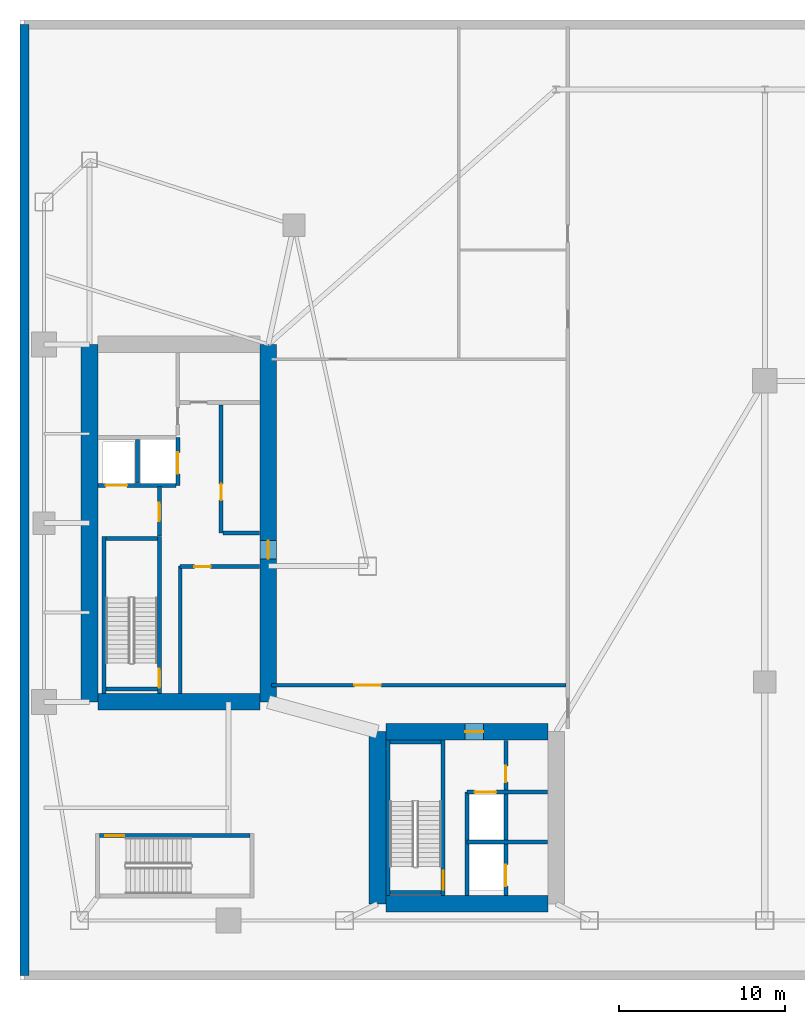
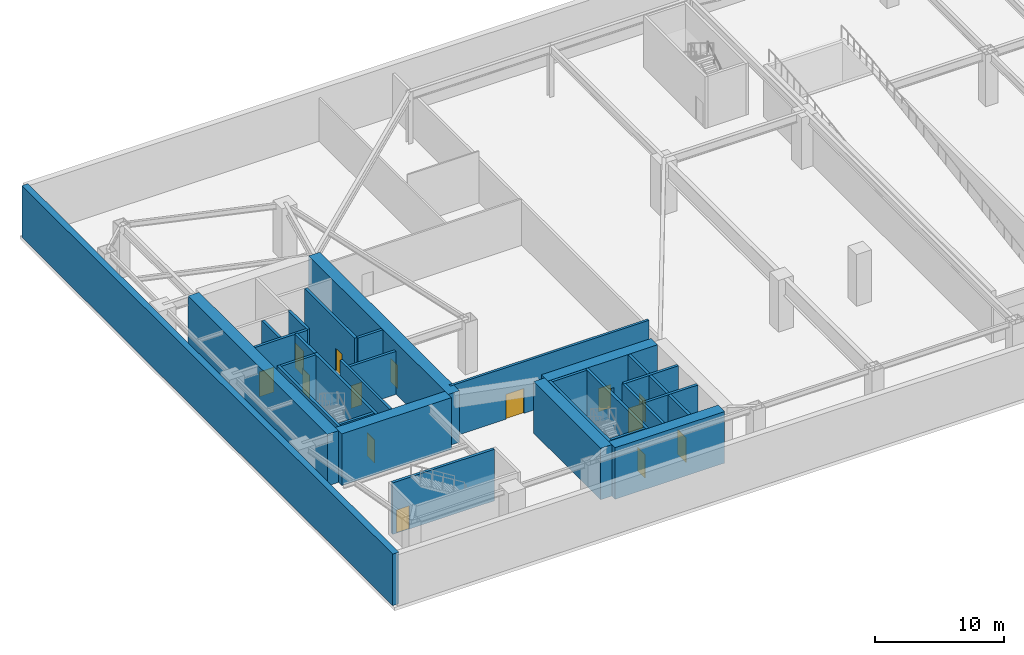
# One storey, part 5 of 13: 29 walls, 14 doors, 14 openings.
"""IFC4 building model written with IfcOpenShell, lengths in metres."""

import ifcopenshell
import ifcopenshell.guid

model = None  # the IFC model being written
_history = None  # IfcOwnerHistory: only IFC2X3 demands one
_inside = {}  # id of a spatial element -> (the spatial element, [elements in it])
_under = {}  # id of a project, library or spatial element -> (it, [spatial elements below it])
_declared = {}  # id of a project -> (the project, [libraries it declares])
_typed = {}  # id of a type object -> (the type object, [elements of that type])
_made_of = {}  # id of a material, layer set ... -> (it, [elements and type objects made of it])


def new_model(schema):
    """Start an empty IFC model of exactly this schema.

    Asked for "IFC4X3", IfcOpenShell would pick the latest addendum, in which some entities
    have other attributes; the version numbers below select the first issue.
    IFC2X3 requires an IfcOwnerHistory on every rooted entity: one is made here for all.
    """
    global model, _history
    if schema == "IFC4X3":
        model = ifcopenshell.file(schema_version=(4, 3, 0, 0))
    else:
        model = ifcopenshell.file(schema=schema)
    _inside.clear()
    _under.clear()
    _declared.clear()
    _typed.clear()
    _made_of.clear()
    _history = None
    if model.schema == "IFC2X3":
        org = make("IfcOrganization", Name="unknown")
        user = make(
            "IfcPersonAndOrganization",
            ThePerson=make("IfcPerson", FamilyName="unknown"),
            TheOrganization=org,
        )
        app = make(
            "IfcApplication",
            ApplicationDeveloper=org,
            Version="unknown",
            ApplicationFullName="unknown",
            ApplicationIdentifier="unknown",
        )
        _history = make(
            "IfcOwnerHistory",
            OwningUser=user,
            OwningApplication=app,
            ChangeAction="ADDED",
            CreationDate=0,
        )
    return model


def make(cls, **values):
    """One entity of the class cls with the attributes given. An attribute that is None is left unset."""
    return model.create_entity(
        cls, **{name: value for name, value in values.items() if value is not None}
    )


def rooted(cls, **values):
    """An entity with a GlobalId (a new one), such as an element, a storey or a relation."""
    return make(cls, GlobalId=ifcopenshell.guid.new(), OwnerHistory=_history, **values)


def si_unit(unit_type, name, prefix=None):
    """IfcSIUnit, for example si_unit("LENGTHUNIT", "METRE", prefix="MILLI")."""
    return make("IfcSIUnit", UnitType=unit_type, Prefix=prefix, Name=name)


def assignment(units):
    """IfcUnitAssignment: the units of a project."""
    return None if units is None else make("IfcUnitAssignment", Units=units)


def point(xyz):
    """IfcCartesianPoint."""
    return None if xyz is None else make("IfcCartesianPoint", Coordinates=xyz)


def direction(xyz):
    """IfcDirection."""
    return None if xyz is None else make("IfcDirection", DirectionRatios=xyz)


def frame(location, z_axis=None, x_axis=None):
    """IfcAxis2Placement3D, a coordinate frame: its origin and axes. An axis left out is left unset."""
    return make(
        "IfcAxis2Placement3D",
        Location=point(location),
        Axis=direction(z_axis),
        RefDirection=direction(x_axis),
    )


def frame_2d(location, x_axis=None):
    """IfcAxis2Placement2D, a coordinate frame in the plane: its origin and x axis."""
    return make(
        "IfcAxis2Placement2D", Location=point(location), RefDirection=direction(x_axis)
    )


def origin():
    """The frame at (0, 0, 0) with its axes left unset."""
    return frame((0.0, 0.0, 0.0))


def place(relative_to, where):
    """IfcLocalPlacement: puts the frame where relative to a parent placement (None: the world)."""
    return make(
        "IfcLocalPlacement", PlacementRelTo=relative_to, RelativePlacement=where
    )


def context(
    kind, dimensions, precision=None, world=None, true_north=None, identifier=None
):
    """IfcGeometricRepresentationContext, for example the 3D "Model" context."""
    return make(
        "IfcGeometricRepresentationContext",
        ContextIdentifier=identifier,
        ContextType=kind,
        CoordinateSpaceDimension=dimensions,
        Precision=precision,
        WorldCoordinateSystem=world,
        TrueNorth=true_north,
    )


def subcontext(parent, identifier, kind, view, scale=None):
    """IfcGeometricRepresentationSubContext, for example "Body" below "Model"."""
    return make(
        "IfcGeometricRepresentationSubContext",
        ContextIdentifier=identifier,
        ContextType=kind,
        ParentContext=parent,
        TargetScale=scale,
        TargetView=view,
    )


def project(units=None, contexts=None):
    """IfcProject with its units and contexts."""
    return rooted(
        "IfcProject",
        Name="project",
        RepresentationContexts=contexts,
        UnitsInContext=assignment(units),
    )


def spatial(cls, under=None, at=None, **own):
    """A site, building, storey or space (cls), placed at a placement, below another one or the project."""
    s = rooted(cls, ObjectPlacement=at, **own)
    if under is not None:
        _under.setdefault(under.id(), (under, []))[1].append(s)
    return s


def profile(cls, at=None, kind="AREA", **sizes):
    """A parametric profile (cls). Its sizes go by their IFC names, for example OverallWidth=200.0."""
    return make(cls, ProfileType=kind, Position=at, **sizes)


def rectangle(**sizes):
    """IfcRectangleProfileDef."""
    return profile("IfcRectangleProfileDef", **sizes)


def extrude(swept, where, along, depth):
    """IfcExtrudedAreaSolid: the profile swept, set in the frame where, extruded along a direction by depth."""
    return make(
        "IfcExtrudedAreaSolid",
        SweptArea=swept,
        Position=where,
        ExtrudedDirection=direction(along),
        Depth=depth,
    )


def shape(context_of_items, identifier, shape_type, items):
    """IfcShapeRepresentation: the items that make up one representation, for example the "Body"."""
    return make(
        "IfcShapeRepresentation",
        ContextOfItems=context_of_items,
        RepresentationIdentifier=identifier,
        RepresentationType=shape_type,
        Items=items,
    )


def material(Name=None, Category=None):
    """IfcMaterial."""
    return make("IfcMaterial", Name=Name, Category=Category)


def layer(
    of_material, thickness, ventilated=None, Name=None, Category=None, Priority=None
):
    """IfcMaterialLayer: one layer of a wall or slab, of a material (None: an air gap)."""
    return make(
        "IfcMaterialLayer",
        Material=of_material,
        LayerThickness=thickness,
        IsVentilated=ventilated,
        Name=Name,
        Category=Category,
        Priority=Priority,
    )


def layer_set(layers, Name=None):
    """IfcMaterialLayerSet."""
    return make("IfcMaterialLayerSet", MaterialLayers=layers, LayerSetName=Name)


def made_of(thing, what):
    """Note that an element or type object is made of a material, layer set ...; save() writes the relation."""
    if what is not None:
        _made_of.setdefault(what.id(), (what, []))[1].append(thing)
    return thing


def type_object(cls, material=None, **own):
    """A type object (cls), such as IfcWallType, which elements share."""
    return made_of(rooted(cls, **own), material)


def element(
    cls,
    number,
    at=None,
    inside=None,
    cuts=None,
    type_object=None,
    material=None,
    context=None,
    identifier="Body",
    shape_type=None,
    held_by="IfcProductDefinitionShape",
    body=None,
    shapes=None,
    **own,
):
    """One element of the class cls, such as IfcWall. Its Tag is "e" and its number.

    at: its placement. inside: the storey or other place that contains it. cuts: it is an
    opening in that element (IfcRelVoidsElement). A single representation is given by context,
    identifier, shape_type and body (its items); several are given by shapes. held_by: the class
    of the entity that holds the representations. save() writes the other relations.
    """
    e = rooted(cls, Tag="e%d" % number, ObjectPlacement=at, **own)
    if body is not None:
        shapes = [shape(context, identifier, shape_type, body)]
    if shapes is not None:
        e.Representation = make(held_by, Representations=shapes)
    if inside is not None:
        _inside.setdefault(inside.id(), (inside, []))[1].append(e)
    if cuts is not None:
        rooted(
            "IfcRelVoidsElement", RelatingBuildingElement=cuts, RelatedOpeningElement=e
        )
    if type_object is not None:
        _typed.setdefault(type_object.id(), (type_object, []))[1].append(e)
    return made_of(e, material)


def fill(opening, filler):
    """IfcRelFillsElement: the door or window that sits in an opening."""
    return rooted(
        "IfcRelFillsElement",
        RelatingOpeningElement=opening,
        RelatedBuildingElement=filler,
    )


def aggregate(whole, parts):
    """IfcRelAggregates: a whole, such as a stair, and the parts it consists of."""
    return rooted("IfcRelAggregates", RelatingObject=whole, RelatedObjects=parts)


def save(model, path):
    """Write the relations noted so far, then the file.

    IfcRelAggregates (storeys below a building ...), IfcRelContainedInSpatialStructure (elements
    in a storey), IfcRelDefinesByType, IfcRelAssociatesMaterial and IfcRelDeclares: one each for
    every whole, place, type object, material and project.
    """
    for whole, parts in _under.values():
        aggregate(whole, parts)
    for where, things in _inside.values():
        rooted(
            "IfcRelContainedInSpatialStructure",
            RelatedElements=things,
            RelatingStructure=where,
        )
    for kind, things in _typed.values():
        rooted("IfcRelDefinesByType", RelatedObjects=things, RelatingType=kind)
    for what, things in _made_of.values():
        rooted("IfcRelAssociatesMaterial", RelatedObjects=things, RelatingMaterial=what)
    for by, libraries in _declared.values():
        rooted("IfcRelDeclares", RelatingContext=by, RelatedDefinitions=libraries)
    model.write(path)


model = new_model("IFC4")

# Units and contexts
model_context = context("Model", 3, precision=1e-05, world=origin(), true_north=direction((0.0, 1.0)))
body_context = subcontext(model_context, "Body", "Model", "MODEL_VIEW")
ifc_project = project(units=[si_unit("LENGTHUNIT", "METRE"), si_unit("AREAUNIT", "SQUARE_METRE"), si_unit("VOLUMEUNIT", "CUBIC_METRE"), si_unit("PLANEANGLEUNIT", "RADIAN"), si_unit("MASSUNIT", "GRAM", prefix="KILO")], contexts=[model_context])

# Site, building, storey
site_placement = place(None, origin())
site = spatial("IfcSite", under=ifc_project, at=site_placement, CompositionType="ELEMENT")
building_placement = place(site_placement, origin())
building = spatial("IfcBuilding", under=site, at=building_placement, Name="Calvorn Quay Hotel", CompositionType="ELEMENT")
storey_placement = place(building_placement, frame((0.0, 0.0, -5.199951171875)))
storey = spatial("IfcBuildingStorey", under=building, at=storey_placement, Name="B1", CompositionType="ELEMENT", Elevation=-5.199951171875)

# Walls
ifc_material_1 = material(Name="Concrete C45", Category="concrete")
ifc_layer_1 = layer(ifc_material_1, 0.550048828125)
ifc_layer_set_1 = layer_set([ifc_layer_1], Name="WL-BSM-RET-550")
wall_type_1 = type_object("IfcWallType", Name="WL-BSM-RET-550", PredefinedType="USERDEFINED", material=ifc_layer_set_1)
wall_1_placement = place(storey_placement, frame((0.280029296875, 57.719970703125, 0.0), z_axis=(0.0, 0.0, 1.0), x_axis=(0.0, -1.0, 0.0)))
element("IfcWall", 1, at=wall_1_placement, inside=storey, type_object=wall_type_1, Name="B1 Retaining Wall W", ObjectType="RETAINING", PredefinedType="USERDEFINED", context=body_context, shape_type="SweptSolid", body=[
    extrude(rectangle(XDim=57.43994140625, YDim=0.550048828125, at=frame_2d((28.719970703125, 0.0))), origin(), (0.0, 0.0, 1.0), 4.8798828125),
])
ifc_material_2 = material(Name="Concrete C60", Category="concrete")
ifc_layer_2 = layer(ifc_material_2, 1.0)
ifc_layer_set_2 = layer_set([ifc_layer_2], Name="WL-CORE-1000")
wall_type_2 = type_object("IfcWallType", Name="WL-CORE-1000", PredefinedType="SHEAR", material=ifc_layer_set_2)
wall_2_placement = place(storey_placement, frame((4.199951171875, 16.800048828125, 0.0), z_axis=(0.0, 0.0, 1.0), x_axis=(0.0, 1.0, 0.0)))
element("IfcWall", 2, at=wall_2_placement, inside=storey, type_object=wall_type_2, Name="West Core Shear Wall W (B1)", PredefinedType="SHEAR", context=body_context, shape_type="SweptSolid", body=[
    extrude(rectangle(XDim=21.599853515625, YDim=1.0, at=frame_2d((10.7998046875, 0.0))), origin(), (0.0, 0.0, 1.0), 4.8798828125),
])

# Wall, opening, door
wall_3_placement = place(storey_placement, frame((15.0, 16.800048828125, 0.0), z_axis=(0.0, 0.0, 1.0), x_axis=(0.0, 1.0, 0.0)))
wall_3 = element("IfcWall", 3, at=wall_3_placement, inside=storey, type_object=wall_type_2, Name="West Core Shear Wall E (B1)", PredefinedType="SHEAR", context=body_context, shape_type="SweptSolid", body=[
    extrude(rectangle(XDim=21.599853515625, YDim=1.0, at=frame_2d((10.7998046875, 0.0))), origin(), (0.0, 0.0, 1.0), 4.8798828125),
])
opening_1_placement = place(wall_3_placement, frame((8.64990234375, 0.0, 0.0)))
opening_1 = element("IfcOpeningElement", 4, at=opening_1_placement, cuts=wall_3, Name="Opening D-B1-CW1", PredefinedType="OPENING", context=body_context, shape_type="SweptSolid", body=[
    extrude(rectangle(XDim=1.10009765625, YDim=2.199951171875, at=frame_2d((0.550048828125, 1.10009765625))), frame((0.0, 0.510009765625, 0.0), z_axis=(0.0, -1.0, 0.0), x_axis=(1.0, 0.0, 0.0)), (0.0, 0.0, 1.0), 1.02001953125),
])
ifc_material_3 = material(Name="Smoke-Sealed Steel Class A Fire Door", Category="steel")
door_type_1 = type_object("IfcDoorType", Name="DR-FFLOBBY-1100", OperationType="NOTDEFINED", PredefinedType="DOOR", material=ifc_material_3)
door_1_placement = place(opening_1_placement, origin())
door_1 = element("IfcDoor", 5, at=door_1_placement, inside=storey, type_object=door_type_1, Name="West Core Vestibule Fire Door (B1)", OperationType="SINGLE_SWING_RIGHT", OverallHeight=2.199951171875, OverallWidth=1.10009765625, PredefinedType="DOOR", context=body_context, shape_type="SweptSolid", body=[
    extrude(rectangle(XDim=1.10009765625, YDim=2.199951171875, at=frame_2d((0.550048828125, 1.10009765625))), frame((0.0, 0.02490234375, 0.0), z_axis=(0.0, -1.0, 0.0), x_axis=(1.0, 0.0, 0.0)), (0.0, 0.0, 1.0), 0.050048828125),
])
fill(opening_1, door_1)

# Walls
wall_4_placement = place(storey_placement, frame((4.699951171875, 16.800048828125, 0.0), z_axis=(0.0, 0.0, 1.0), x_axis=(1.0, 0.0, 0.0)))
element("IfcWall", 6, at=wall_4_placement, inside=storey, type_object=wall_type_2, Name="West Core Shear Wall S (B1)", PredefinedType="SHEAR", context=body_context, shape_type="SweptSolid", body=[
    extrude(rectangle(XDim=9.800048828125, YDim=1.0, at=frame_2d((4.89990234375, 0.0))), origin(), (0.0, 0.0, 1.0), 4.8798828125),
])
wall_5_placement = place(storey_placement, frame((21.60009765625, 4.60009765625, 0.0), z_axis=(0.0, 0.0, 1.0), x_axis=(0.0, 1.0, 0.0)))
element("IfcWall", 7, at=wall_5_placement, inside=storey, type_object=wall_type_2, Name="East Core Shear Wall W (B1)", PredefinedType="SHEAR", context=body_context, shape_type="SweptSolid", body=[
    extrude(rectangle(XDim=10.39990234375, YDim=1.0, at=frame_2d((5.199951171875, 0.0))), origin(), (0.0, 0.0, 1.0), 4.8798828125),
])

# Wall, opening, door
wall_6_placement = place(storey_placement, frame((22.10009765625, 15.0, 0.0), z_axis=(0.0, 0.0, 1.0), x_axis=(1.0, 0.0, 0.0)))
wall_6 = element("IfcWall", 8, at=wall_6_placement, inside=storey, type_object=wall_type_2, Name="East Core Shear Wall N (B1)", PredefinedType="SHEAR", context=body_context, shape_type="SweptSolid", body=[
    extrude(rectangle(XDim=9.7998046875, YDim=1.0, at=frame_2d((4.89990234375, 0.0))), origin(), (0.0, 0.0, 1.0), 4.8798828125),
])
opening_2_placement = place(wall_6_placement, frame((4.800048828125, 0.0, 0.0)))
opening_2 = element("IfcOpeningElement", 9, at=opening_2_placement, cuts=wall_6, Name="Opening D-B1-FLE", PredefinedType="OPENING", context=body_context, shape_type="SweptSolid", body=[
    extrude(rectangle(XDim=1.10009765625, YDim=2.199951171875, at=frame_2d((0.550048828125, 1.10009765625))), frame((0.0, 0.510009765625, 0.0), z_axis=(0.0, -1.0, 0.0), x_axis=(1.0, 0.0, 0.0)), (0.0, 0.0, 1.0), 1.02001953125),
])
door_2_placement = place(opening_2_placement, origin())
door_2 = element("IfcDoor", 10, at=door_2_placement, inside=storey, type_object=door_type_1, Name="East Firefighting Lobby Fire Door (B1)", OperationType="SINGLE_SWING_LEFT", OverallHeight=2.199951171875, OverallWidth=1.10009765625, PredefinedType="DOOR", context=body_context, shape_type="SweptSolid", body=[
    extrude(rectangle(XDim=1.10009765625, YDim=2.199951171875, at=frame_2d((0.550048828125, 1.10009765625))), frame((0.0, 0.02490234375, 0.0), z_axis=(0.0, -1.0, 0.0), x_axis=(1.0, 0.0, 0.0)), (0.0, 0.0, 1.0), 0.050048828125),
])
fill(opening_2, door_2)

# Walls
wall_7_placement = place(storey_placement, frame((22.10009765625, 4.60009765625, 0.0), z_axis=(0.0, 0.0, 1.0), x_axis=(1.0, 0.0, 0.0)))
element("IfcWall", 11, at=wall_7_placement, inside=storey, type_object=wall_type_2, Name="East Core Shear Wall S (B1)", PredefinedType="SHEAR", context=body_context, shape_type="SweptSolid", body=[
    extrude(rectangle(XDim=9.7998046875, YDim=1.0, at=frame_2d((4.89990234375, 0.0))), origin(), (0.0, 0.0, 1.0), 4.8798828125),
])
ifc_material_4 = material(Name="Autoclaved Aerated Masonry Block", Category="masonry")
ifc_layer_3 = layer(ifc_material_4, 0.219970703125)
ifc_layer_set_3 = layer_set([ifc_layer_3], Name="WL-LOBBY-FIRE-220")
wall_type_3 = type_object("IfcWallType", Name="WL-LOBBY-FIRE-220", PredefinedType="SOLIDWALL", material=ifc_layer_set_3)
wall_8_placement = place(storey_placement, frame((9.679931640625, 17.320068359375, 0.0), z_axis=(0.0, 0.0, 1.0), x_axis=(0.0, 1.0, 0.0)))
element("IfcWall", 12, at=wall_8_placement, inside=storey, type_object=wall_type_3, Name="Partition Wall B1-WL-CWW-STW-HALL-E", PredefinedType="SOLIDWALL", context=body_context, shape_type="SweptSolid", body=[
    extrude(rectangle(XDim=7.679931640625, YDim=0.219970703125, at=frame_2d((3.83984375, 0.0))), origin(), (0.0, 0.0, 1.0), 4.8798828125),
])

# Wall, opening, door
wall_9_placement = place(storey_placement, frame((15.199951171875, 17.800048828125, 0.0), z_axis=(0.0, 0.0, 1.0), x_axis=(1.0, 0.0, 0.0)))
wall_9 = element("IfcWall", 13, at=wall_9_placement, inside=storey, type_object=wall_type_3, Name="Partition Wall B1-WL-B1-CN", PredefinedType="SOLIDWALL", context=body_context, shape_type="SweptSolid", body=[
    extrude(rectangle(XDim=17.780029296875, YDim=0.219970703125, at=frame_2d((8.89013671875, 0.0))), origin(), (0.0, 0.0, 1.0), 4.8798828125),
])
opening_3_placement = place(wall_9_placement, frame((5.0, 0.0, 0.0)))
opening_3 = element("IfcOpeningElement", 14, at=opening_3_placement, cuts=wall_9, Name="Opening D-B1-04", PredefinedType="OPENING", context=body_context, shape_type="SweptSolid", body=[
    extrude(rectangle(XDim=1.60009765625, YDim=2.35009765625, at=frame_2d((0.800048828125, 1.175048828125))), frame((0.0, 0.119873046875, 0.0), z_axis=(0.0, -1.0, 0.0), x_axis=(1.0, 0.0, 0.0)), (0.0, 0.0, 1.0), 0.239990234375),
])
ifc_material_5 = material(Name="Heavy-Duty Steel Acoustic Plant Fire Door", Category="steel")
door_type_2 = type_object("IfcDoorType", Name="DR-PLANT-DBL-1600", OperationType="NOTDEFINED", PredefinedType="DOOR", material=ifc_material_5)
door_3_placement = place(opening_3_placement, origin())
door_3 = element("IfcDoor", 15, at=door_3_placement, inside=storey, type_object=door_type_2, Name="Central Laundry Door", OperationType="SINGLE_SWING_LEFT", OverallHeight=2.35009765625, OverallWidth=1.60009765625, PredefinedType="DOOR", context=body_context, shape_type="SweptSolid", body=[
    extrude(rectangle(XDim=1.60009765625, YDim=2.35009765625, at=frame_2d((0.800048828125, 1.175048828125))), frame((0.0, 0.02490234375, 0.0), z_axis=(0.0, -1.0, 0.0), x_axis=(1.0, 0.0, 0.0)), (0.0, 0.0, 1.0), 0.050048828125),
])
fill(opening_3, door_3)

# Wall
ifc_material_6 = material(Name="Concrete C40", Category="concrete")
ifc_layer_4 = layer(ifc_material_6, 0.239990234375)
ifc_layer_set_4 = layer_set([ifc_layer_4], Name="WL-SHAFT-240")
wall_type_4 = type_object("IfcWallType", Name="WL-SHAFT-240", PredefinedType="SOLIDWALL", material=ifc_layer_set_4)
wall_10_placement = place(storey_placement, frame((5.080078125, 17.300048828125, 0.0), z_axis=(0.0, 0.0, 1.0), x_axis=(0.0, 1.0, 0.0)))
element("IfcWall", 16, at=wall_10_placement, inside=storey, type_object=wall_type_4, Name="Stair STW Shaft Wall W (B1)", PredefinedType="SOLIDWALL", context=body_context, shape_type="SweptSolid", body=[
    extrude(rectangle(XDim=9.489990234375, YDim=0.239990234375, at=frame_2d((4.7451171875, 0.0))), origin(), (0.0, 0.0, 1.0), 4.8798828125),
])

# Wall, opening, door
wall_11_placement = place(storey_placement, frame((8.419921875, 17.300048828125, 0.0), z_axis=(0.0, 0.0, 1.0), x_axis=(0.0, 1.0, 0.0)))
wall_11 = element("IfcWall", 17, at=wall_11_placement, inside=storey, type_object=wall_type_4, Name="Stair STW Shaft Wall E (B1)", PredefinedType="SOLIDWALL", context=body_context, shape_type="SweptSolid", body=[
    extrude(rectangle(XDim=9.489990234375, YDim=0.239990234375, at=frame_2d((4.7451171875, 0.0))), origin(), (0.0, 0.0, 1.0), 4.8798828125),
])
opening_4_placement = place(wall_11_placement, frame((0.35009765625, 0.0, 0.0)))
opening_4 = element("IfcOpeningElement", 18, at=opening_4_placement, cuts=wall_11, Name="Opening D-B1-STW", PredefinedType="OPENING", context=body_context, shape_type="SweptSolid", body=[
    extrude(rectangle(XDim=1.14990234375, YDim=2.199951171875, at=frame_2d((0.574951171875, 1.10009765625))), frame((0.0, 0.1298828125, 0.0), z_axis=(0.0, -1.0, 0.0), x_axis=(1.0, 0.0, 0.0)), (0.0, 0.0, 1.0), 0.260009765625),
])
ifc_material_7 = material(Name="Galvanised Steel Class A Fire Door", Category="steel")
door_type_3 = type_object("IfcDoorType", Name="DR-STAIR-SMOKE-1150", OperationType="NOTDEFINED", PredefinedType="DOOR", material=ifc_material_7)
door_4_placement = place(opening_4_placement, origin())
door_4 = element("IfcDoor", 19, at=door_4_placement, inside=storey, type_object=door_type_3, Name="Stair ST-W Fire Door (B1)", OperationType="SINGLE_SWING_LEFT", OverallHeight=2.199951171875, OverallWidth=1.14990234375, PredefinedType="DOOR", context=body_context, shape_type="SweptSolid", body=[
    extrude(rectangle(XDim=1.14990234375, YDim=2.199951171875, at=frame_2d((0.574951171875, 1.10009765625))), frame((0.0, 0.02490234375, 0.0), z_axis=(0.0, -1.0, 0.0), x_axis=(1.0, 0.0, 0.0)), (0.0, 0.0, 1.0), 0.050048828125),
])
fill(opening_4, door_4)

# Walls
for number, where, z_axis, x_axis, name in (
    (20, (5.199951171875, 17.580078125, 0.0), (0.0, 0.0, 1.0), (1.0, 0.0, 0.0), "Stair STW Shaft Wall S (B1)"),
    (21, (5.199951171875, 26.669921875, 0.0), (0.0, 0.0, 1.0), (1.0, 0.0, 0.0), "Stair STW Shaft Wall N (B1)"),
):
    element("IfcWall", number, at=place(storey_placement, frame(where, z_axis=z_axis, x_axis=x_axis)), inside=storey, type_object=wall_type_4, Name=name, PredefinedType="SOLIDWALL", context=body_context, shape_type="SweptSolid", body=[
        extrude(rectangle(XDim=3.10009765625, YDim=0.239990234375, at=frame_2d((1.550048828125, 0.0))), origin(), (0.0, 0.0, 1.0), 4.8798828125),
    ])
wall_12_placement = place(storey_placement, frame((22.22998046875, 5.10009765625, 0.0), z_axis=(0.0, 0.0, 1.0), x_axis=(0.0, 1.0, 0.0)))
element("IfcWall", 22, at=wall_12_placement, inside=storey, type_object=wall_type_4, Name="Stair STE Shaft Wall W (B1)", PredefinedType="SOLIDWALL", context=body_context, shape_type="SweptSolid", body=[
    extrude(rectangle(XDim=9.389892578125, YDim=0.239990234375, at=frame_2d((4.69482421875, 0.0))), origin(), (0.0, 0.0, 1.0), 4.8798828125),
])

# Wall, opening, door
wall_13_placement = place(storey_placement, frame((25.570068359375, 5.10009765625, 0.0), z_axis=(0.0, 0.0, 1.0), x_axis=(0.0, 1.0, 0.0)))
wall_13 = element("IfcWall", 23, at=wall_13_placement, inside=storey, type_object=wall_type_4, Name="Stair STE Shaft Wall E (B1)", PredefinedType="SOLIDWALL", context=body_context, shape_type="SweptSolid", body=[
    extrude(rectangle(XDim=9.389892578125, YDim=0.239990234375, at=frame_2d((4.69482421875, 0.0))), origin(), (0.0, 0.0, 1.0), 4.8798828125),
])
opening_5_placement = place(wall_13_placement, frame((0.35009765625, 0.0, 0.0)))
opening_5 = element("IfcOpeningElement", 24, at=opening_5_placement, cuts=wall_13, Name="Opening D-B1-STE", PredefinedType="OPENING", context=body_context, shape_type="SweptSolid", body=[
    extrude(rectangle(XDim=1.14990234375, YDim=2.199951171875, at=frame_2d((0.574951171875, 1.10009765625))), frame((0.0, 0.1298828125, 0.0), z_axis=(0.0, -1.0, 0.0), x_axis=(1.0, 0.0, 0.0)), (0.0, 0.0, 1.0), 0.260009765625),
])
door_5_placement = place(opening_5_placement, origin())
door_5 = element("IfcDoor", 25, at=door_5_placement, inside=storey, type_object=door_type_3, Name="Stair ST-E Fire Door (B1)", OperationType="SINGLE_SWING_RIGHT", OverallHeight=2.199951171875, OverallWidth=1.14990234375, PredefinedType="DOOR", context=body_context, shape_type="SweptSolid", body=[
    extrude(rectangle(XDim=1.14990234375, YDim=2.199951171875, at=frame_2d((0.574951171875, 1.10009765625))), frame((0.0, 0.02490234375, 0.0), z_axis=(0.0, -1.0, 0.0), x_axis=(1.0, 0.0, 0.0)), (0.0, 0.0, 1.0), 0.050048828125),
])
fill(opening_5, door_5)

# Walls
for number, where, z_axis, x_axis, name in (
    (26, (22.35009765625, 5.280029296875, 0.0), (0.0, 0.0, 1.0), (1.0, 0.0, 0.0), "Stair STE Shaft Wall S (B1)"),
    (27, (22.35009765625, 14.3701171875, 0.0), (0.0, 0.0, 1.0), (1.0, 0.0, 0.0), "Stair STE Shaft Wall N (B1)"),
):
    element("IfcWall", number, at=place(storey_placement, frame(where, z_axis=z_axis, x_axis=x_axis)), inside=storey, type_object=wall_type_4, Name=name, PredefinedType="SOLIDWALL", context=body_context, shape_type="SweptSolid", body=[
        extrude(rectangle(XDim=3.099853515625, YDim=0.239990234375, at=frame_2d((1.5498046875, 0.0))), origin(), (0.0, 0.0, 1.0), 4.8798828125),
    ])

# Wall, opening, door
wall_14_placement = place(storey_placement, frame((4.800048828125, 8.719970703125, 0.0), z_axis=(0.0, 0.0, 1.0), x_axis=(1.0, 0.0, 0.0)))
wall_14 = element("IfcWall", 28, at=wall_14_placement, inside=storey, type_object=wall_type_4, Name="Stair STP2 Shaft Wall N (B1)", PredefinedType="SOLIDWALL", context=body_context, shape_type="SweptSolid", body=[
    extrude(rectangle(XDim=9.099853515625, YDim=0.239990234375, at=frame_2d((4.5498046875, 0.0))), origin(), (0.0, 0.0, 1.0), 4.8798828125),
])
opening_6_placement = place(wall_14_placement, frame((0.35009765625, 0.0, 0.0)))
opening_6 = element("IfcOpeningElement", 29, at=opening_6_placement, cuts=wall_14, Name="Opening D-B1-STP2", PredefinedType="OPENING", context=body_context, shape_type="SweptSolid", body=[
    extrude(rectangle(XDim=1.14990234375, YDim=2.199951171875, at=frame_2d((0.574951171875, 1.10009765625))), frame((0.0, 0.1298828125, 0.0), z_axis=(0.0, -1.0, 0.0), x_axis=(1.0, 0.0, 0.0)), (0.0, 0.0, 1.0), 0.260009765625),
])
door_6_placement = place(opening_6_placement, origin())
door_6 = element("IfcDoor", 30, at=door_6_placement, inside=storey, type_object=door_type_3, Name="Podium Stair ST-P2 Fire Door (B1)", OperationType="SINGLE_SWING_RIGHT", OverallHeight=2.199951171875, OverallWidth=1.14990234375, PredefinedType="DOOR", context=body_context, shape_type="SweptSolid", body=[
    extrude(rectangle(XDim=1.14990234375, YDim=2.199951171875, at=frame_2d((0.574951171875, 1.10009765625))), frame((0.0, 0.02490234375, 0.0), z_axis=(0.0, -1.0, 0.0), x_axis=(1.0, 0.0, 0.0)), (0.0, 0.0, 1.0), 0.050048828125),
])
fill(opening_6, door_6)

wall_15_placement = place(storey_placement, frame((8.419921875, 26.820068359375, 0.0), z_axis=(0.0, 0.0, 1.0), x_axis=(0.0, 1.0, 0.0)))
wall_15 = element("IfcWall", 31, at=wall_15_placement, inside=storey, type_object=wall_type_4, Name="Partition Wall B1-WL-CWW-FFL-E", PredefinedType="SOLIDWALL", context=body_context, shape_type="SweptSolid", body=[
    extrude(rectangle(XDim=3.0, YDim=0.239990234375, at=frame_2d((1.5, 0.0))), origin(), (0.0, 0.0, 1.0), 4.8798828125),
])
opening_7_placement = place(wall_15_placement, frame((0.89990234375, 0.0, 0.0)))
opening_7 = element("IfcOpeningElement", 32, at=opening_7_placement, cuts=wall_15, Name="Opening D-B1-FLW", PredefinedType="OPENING", context=body_context, shape_type="SweptSolid", body=[
    extrude(rectangle(XDim=1.10009765625, YDim=2.199951171875, at=frame_2d((0.550048828125, 1.10009765625))), frame((0.0, 0.1298828125, 0.0), z_axis=(0.0, -1.0, 0.0), x_axis=(1.0, 0.0, 0.0)), (0.0, 0.0, 1.0), 0.260009765625),
])
door_7_placement = place(opening_7_placement, origin())
door_7 = element("IfcDoor", 33, at=door_7_placement, inside=storey, type_object=door_type_1, Name="West Firefighting Lobby Fire Door (B1)", OperationType="SINGLE_SWING_RIGHT", OverallHeight=2.199951171875, OverallWidth=1.10009765625, PredefinedType="DOOR", context=body_context, shape_type="SweptSolid", body=[
    extrude(rectangle(XDim=1.10009765625, YDim=2.199951171875, at=frame_2d((0.550048828125, 1.10009765625))), frame((0.0, 0.02490234375, 0.0), z_axis=(0.0, -1.0, 0.0), x_axis=(1.0, 0.0, 0.0)), (0.0, 0.0, 1.0), 0.050048828125),
])
fill(opening_7, door_7)

wall_16_placement = place(storey_placement, frame((4.719970703125, 29.8798828125, 0.0), z_axis=(0.0, 0.0, 1.0), x_axis=(1.0, 0.0, 0.0)))
wall_16 = element("IfcWall", 34, at=wall_16_placement, inside=storey, type_object=wall_type_4, Name="Partition Wall B1-WL-CWW-FLW-S", PredefinedType="SOLIDWALL", context=body_context, shape_type="SweptSolid", body=[
    extrude(rectangle(XDim=4.699951171875, YDim=0.239990234375, at=frame_2d((2.35009765625, 0.0))), origin(), (0.0, 0.0, 1.0), 4.8798828125),
])
opening_8_placement = place(wall_16_placement, frame((0.449951171875, 0.0, 0.0)))
opening_8 = element("IfcOpeningElement", 35, at=opening_8_placement, cuts=wall_16, Name="Opening LD-B1-FLW1", PredefinedType="OPENING", context=body_context, shape_type="SweptSolid", body=[
    extrude(rectangle(XDim=1.300048828125, YDim=2.35009765625, at=frame_2d((0.64990234375, 1.175048828125))), frame((0.0, 0.1298828125, 0.0), z_axis=(0.0, -1.0, 0.0), x_axis=(1.0, 0.0, 0.0)), (0.0, 0.0, 1.0), 0.260009765625),
])
ifc_material_8 = material(Name="Champagne-Bronze Sliding Express Lift Landing Door")
door_type_4 = type_object("IfcDoorType", Name="DR-LIFT-SHUTTLE-1300", OperationType="NOTDEFINED", PredefinedType="DOOR", material=ifc_material_8)
door_8_placement = place(opening_8_placement, origin())
door_8 = element("IfcDoor", 36, at=door_8_placement, inside=storey, type_object=door_type_4, Name="Firefighting Lift FL-W1 Landing Door (B1)", OperationType="DOUBLE_DOOR_SLIDING", OverallHeight=2.35009765625, OverallWidth=1.300048828125, PredefinedType="DOOR", context=body_context, shape_type="SweptSolid", body=[
    extrude(rectangle(XDim=1.300048828125, YDim=2.35009765625, at=frame_2d((0.64990234375, 1.175048828125))), frame((0.0, 0.02490234375, 0.0), z_axis=(0.0, -1.0, 0.0), x_axis=(1.0, 0.0, 0.0)), (0.0, 0.0, 1.0), 0.050048828125),
])
fill(opening_8, door_8)

# Wall
wall_17_placement = place(storey_placement, frame((7.10009765625, 30.02001953125, 0.0), z_axis=(0.0, 0.0, 1.0), x_axis=(0.0, 1.0, 0.0)))
element("IfcWall", 37, at=wall_17_placement, inside=storey, type_object=wall_type_4, Name="Partition Wall B1-WL-CWW-FLW-DIV", PredefinedType="SOLIDWALL", context=body_context, shape_type="SweptSolid", body=[
    extrude(rectangle(XDim=2.6298828125, YDim=0.239990234375, at=frame_2d((1.31494140625, 0.0))), origin(), (0.0, 0.0, 1.0), 4.8798828125),
])

# Wall, opening, door
wall_18_placement = place(storey_placement, frame((9.5400390625, 29.8798828125, 0.0), z_axis=(0.0, 0.0, 1.0), x_axis=(0.0, 1.0, 0.0)))
wall_18 = element("IfcWall", 38, at=wall_18_placement, inside=storey, type_object=wall_type_4, Name="Partition Wall B1-WL-CWW-SLW-E", PredefinedType="SOLIDWALL", context=body_context, shape_type="SweptSolid", body=[
    extrude(rectangle(XDim=2.900146484375, YDim=0.239990234375, at=frame_2d((1.4501953125, 0.0))), origin(), (0.0, 0.0, 1.0), 4.8798828125),
])
opening_9_placement = place(wall_18_placement, frame((0.699951171875, 0.0, 0.0)))
opening_9 = element("IfcOpeningElement", 39, at=opening_9_placement, cuts=wall_18, Name="Opening LD-B1-SLW1", PredefinedType="OPENING", context=body_context, shape_type="SweptSolid", body=[
    extrude(rectangle(XDim=1.300048828125, YDim=2.35009765625, at=frame_2d((0.64990234375, 1.175048828125))), frame((0.0, 0.1298828125, 0.0), z_axis=(0.0, -1.0, 0.0), x_axis=(1.0, 0.0, 0.0)), (0.0, 0.0, 1.0), 0.260009765625),
])
door_9_placement = place(opening_9_placement, origin())
door_9 = element("IfcDoor", 40, at=door_9_placement, inside=storey, type_object=door_type_4, Name="Service Lift SL-W1 Landing Door (B1)", OperationType="DOUBLE_DOOR_SLIDING", OverallHeight=2.35009765625, OverallWidth=1.300048828125, PredefinedType="DOOR", context=body_context, shape_type="SweptSolid", body=[
    extrude(rectangle(XDim=1.300048828125, YDim=2.35009765625, at=frame_2d((0.64990234375, 1.175048828125))), frame((0.0, 0.02490234375, 0.0), z_axis=(0.0, -1.0, 0.0), x_axis=(1.0, 0.0, 0.0)), (0.0, 0.0, 1.0), 0.050048828125),
])
fill(opening_9, door_9)

wall_19_placement = place(storey_placement, frame((9.679931640625, 24.969970703125, 0.0), z_axis=(0.0, 0.0, 1.0), x_axis=(1.0, 0.0, 0.0)))
wall_19 = element("IfcWall", 41, at=wall_19_placement, inside=storey, type_object=wall_type_4, Name="Partition Wall B1-WL-CWW-PLL-N", PredefinedType="SOLIDWALL", context=body_context, shape_type="SweptSolid", body=[
    extrude(rectangle(XDim=4.800048828125, YDim=0.239990234375, at=frame_2d((2.39990234375, 0.0))), origin(), (0.0, 0.0, 1.0), 4.079833984375),
])
opening_10_placement = place(wall_19_placement, frame((0.85009765625, 0.0, 0.0)))
opening_10 = element("IfcOpeningElement", 42, at=opening_10_placement, cuts=wall_19, Name="Opening D-B1-BPN", PredefinedType="OPENING", context=body_context, shape_type="SweptSolid", body=[
    extrude(rectangle(XDim=0.97998046875, YDim=2.14990234375, at=frame_2d((0.489990234375, 1.074951171875))), frame((0.0, 0.1298828125, 0.0), z_axis=(0.0, -1.0, 0.0), x_axis=(1.0, 0.0, 0.0)), (0.0, 0.0, 1.0), 0.260009765625),
])
ifc_material_9 = material(Name="Painted Steel Housekeeping/Riser Fire Door", Category="steel")
door_type_5 = type_object("IfcDoorType", Name="DR-SERVICE-980", OperationType="NOTDEFINED", PredefinedType="DOOR", material=ifc_material_9)
door_10_placement = place(opening_10_placement, origin())
door_10 = element("IfcDoor", 43, at=door_10_placement, inside=storey, type_object=door_type_5, Name="Core Pit Plant Door (B1)", OperationType="SINGLE_SWING_LEFT", OverallHeight=2.14990234375, OverallWidth=0.97998046875, PredefinedType="DOOR", context=body_context, shape_type="SweptSolid", body=[
    extrude(rectangle(XDim=0.97998046875, YDim=2.14990234375, at=frame_2d((0.489990234375, 1.074951171875))), frame((0.0, 0.02490234375, 0.0), z_axis=(0.0, -1.0, 0.0), x_axis=(1.0, 0.0, 0.0)), (0.0, 0.0, 1.0), 0.050048828125),
])
fill(opening_10, door_10)

# Wall
wall_20_placement = place(storey_placement, frame((12.25, 27.0, 0.0), z_axis=(0.0, 0.0, 1.0), x_axis=(1.0, 0.0, 0.0)))
element("IfcWall", 44, at=wall_20_placement, inside=storey, type_object=wall_type_4, Name="Partition Wall B1-WL-CWW-PLM-S", PredefinedType="SOLIDWALL", context=body_context, shape_type="SweptSolid", body=[
    extrude(rectangle(XDim=2.22998046875, YDim=0.239990234375, at=frame_2d((1.114990234375, 0.0))), origin(), (0.0, 0.0, 1.0), 4.8798828125),
])

# Wall, opening, door
wall_21_placement = place(storey_placement, frame((12.14990234375, 27.0, 0.0), z_axis=(0.0, 0.0, 1.0), x_axis=(0.0, 1.0, 0.0)))
wall_21 = element("IfcWall", 45, at=wall_21_placement, inside=storey, type_object=wall_type_4, Name="Partition Wall B1-WL-CWW-PLM-W", PredefinedType="SOLIDWALL", context=body_context, shape_type="SweptSolid", body=[
    extrude(rectangle(XDim=7.75, YDim=0.239990234375, at=frame_2d((3.875, 0.0))), origin(), (0.0, 0.0, 1.0), 4.8798828125),
])
opening_11_placement = place(wall_21_placement, frame((2.0, 0.0, 0.0)))
opening_11 = element("IfcOpeningElement", 46, at=opening_11_placement, cuts=wall_21, Name="Opening D-B1-BMP", PredefinedType="OPENING", context=body_context, shape_type="SweptSolid", body=[
    extrude(rectangle(XDim=0.97998046875, YDim=2.14990234375, at=frame_2d((0.489990234375, 1.074951171875))), frame((0.0, 0.1298828125, 0.0), z_axis=(0.0, -1.0, 0.0), x_axis=(1.0, 0.0, 0.0)), (0.0, 0.0, 1.0), 0.260009765625),
])
door_11_placement = place(opening_11_placement, origin())
door_11 = element("IfcDoor", 47, at=door_11_placement, inside=storey, type_object=door_type_5, Name="Mid-Rise Pit Door (B1)", OperationType="SINGLE_SWING_LEFT", OverallHeight=2.14990234375, OverallWidth=0.97998046875, PredefinedType="DOOR", context=body_context, shape_type="SweptSolid", body=[
    extrude(rectangle(XDim=0.97998046875, YDim=2.14990234375, at=frame_2d((0.489990234375, 1.074951171875))), frame((0.0, 0.02490234375, 0.0), z_axis=(0.0, -1.0, 0.0), x_axis=(1.0, 0.0, 0.0)), (0.0, 0.0, 1.0), 0.050048828125),
])
fill(opening_11, door_11)

# Wall
wall_22_placement = place(storey_placement, frame((27.02001953125, 5.1201171875, 0.0), z_axis=(0.0, 0.0, 1.0), x_axis=(0.0, 1.0, 0.0)))
element("IfcWall", 48, at=wall_22_placement, inside=storey, type_object=wall_type_4, Name="Partition Wall B1-WL-CWE-SH-W", PredefinedType="SOLIDWALL", context=body_context, shape_type="SweptSolid", body=[
    extrude(rectangle(XDim=6.22998046875, YDim=0.239990234375, at=frame_2d((3.114990234375, 0.0))), origin(), (0.0, 0.0, 1.0), 4.8798828125),
])

# Wall, opening, door
wall_23_placement = place(storey_placement, frame((27.02001953125, 11.35009765625, 0.0), z_axis=(0.0, 0.0, 1.0), x_axis=(1.0, 0.0, 0.0)))
wall_23 = element("IfcWall", 49, at=wall_23_placement, inside=storey, type_object=wall_type_4, Name="Partition Wall B1-WL-CWE-FFL-S", PredefinedType="SOLIDWALL", context=body_context, shape_type="SweptSolid", body=[
    extrude(rectangle(XDim=4.85986328125, YDim=0.239990234375, at=frame_2d((2.429931640625, 0.0))), origin(), (0.0, 0.0, 1.0), 4.8798828125),
])
opening_12_placement = place(wall_23_placement, frame((0.449951171875, 0.0, 0.0)))
opening_12 = element("IfcOpeningElement", 50, at=opening_12_placement, cuts=wall_23, Name="Opening LD-B1-FLE1", PredefinedType="OPENING", context=body_context, shape_type="SweptSolid", body=[
    extrude(rectangle(XDim=1.300048828125, YDim=2.35009765625, at=frame_2d((0.64990234375, 1.175048828125))), frame((0.0, 0.1298828125, 0.0), z_axis=(0.0, -1.0, 0.0), x_axis=(1.0, 0.0, 0.0)), (0.0, 0.0, 1.0), 0.260009765625),
])
door_12_placement = place(opening_12_placement, origin())
door_12 = element("IfcDoor", 51, at=door_12_placement, inside=storey, type_object=door_type_4, Name="Firefighting Lift FL-E1 Landing Door (B1)", OperationType="DOUBLE_DOOR_SLIDING", OverallHeight=2.35009765625, OverallWidth=1.300048828125, PredefinedType="DOOR", context=body_context, shape_type="SweptSolid", body=[
    extrude(rectangle(XDim=1.300048828125, YDim=2.35009765625, at=frame_2d((0.64990234375, 1.175048828125))), frame((0.0, 0.02490234375, 0.0), z_axis=(0.0, -1.0, 0.0), x_axis=(1.0, 0.0, 0.0)), (0.0, 0.0, 1.0), 0.050048828125),
])
fill(opening_12, door_12)

# Wall
wall_24_placement = place(storey_placement, frame((27.02001953125, 8.35009765625, 0.0), z_axis=(0.0, 0.0, 1.0), x_axis=(1.0, 0.0, 0.0)))
element("IfcWall", 52, at=wall_24_placement, inside=storey, type_object=wall_type_4, Name="Partition Wall B1-WL-CWE-SL-N", PredefinedType="SOLIDWALL", context=body_context, shape_type="SweptSolid", body=[
    extrude(rectangle(XDim=4.85986328125, YDim=0.239990234375, at=frame_2d((2.429931640625, 0.0))), origin(), (0.0, 0.0, 1.0), 4.8798828125),
])

# Wall, openings, doors
wall_25_placement = place(storey_placement, frame((29.35009765625, 5.1201171875, 0.0), z_axis=(0.0, 0.0, 1.0), x_axis=(0.0, 1.0, 0.0)))
wall_25 = element("IfcWall", 53, at=wall_25_placement, inside=storey, type_object=wall_type_4, Name="Partition Wall B1-WL-CWE-OB-W", PredefinedType="SOLIDWALL", context=body_context, shape_type="SweptSolid", body=[
    extrude(rectangle(XDim=9.35986328125, YDim=0.239990234375, at=frame_2d((4.679931640625, 0.0))), origin(), (0.0, 0.0, 1.0), 4.8798828125),
])
opening_13_placement = place(wall_25_placement, frame((0.550048828125, 0.0, 0.0)))
opening_13 = element("IfcOpeningElement", 54, at=opening_13_placement, cuts=wall_25, Name="Opening LD-B1-SLEI", PredefinedType="OPENING", context=body_context, shape_type="SweptSolid", body=[
    extrude(rectangle(XDim=1.300048828125, YDim=2.35009765625, at=frame_2d((0.64990234375, 1.175048828125))), frame((0.0, 0.1298828125, 0.0), z_axis=(0.0, -1.0, 0.0), x_axis=(1.0, 0.0, 0.0)), (0.0, 0.0, 1.0), 0.260009765625),
])
opening_14_placement = place(wall_25_placement, frame((6.830078125, 0.0, 0.0)))
opening_14 = element("IfcOpeningElement", 55, at=opening_14_placement, cuts=wall_25, Name="Opening D-B1-OBP", PredefinedType="OPENING", context=body_context, shape_type="SweptSolid", body=[
    extrude(rectangle(XDim=0.97998046875, YDim=2.14990234375, at=frame_2d((0.489990234375, 1.074951171875))), frame((0.0, 0.1298828125, 0.0), z_axis=(0.0, -1.0, 0.0), x_axis=(1.0, 0.0, 0.0)), (0.0, 0.0, 1.0), 0.260009765625),
])
door_13_placement = place(opening_13_placement, origin())
door_13 = element("IfcDoor", 56, at=door_13_placement, inside=storey, type_object=door_type_4, Name="Service Lift SL-E1 Landing Door (B1)", OperationType="DOUBLE_DOOR_SLIDING", OverallHeight=2.35009765625, OverallWidth=1.300048828125, PredefinedType="DOOR", context=body_context, shape_type="SweptSolid", body=[
    extrude(rectangle(XDim=1.300048828125, YDim=2.35009765625, at=frame_2d((0.64990234375, 1.175048828125))), frame((0.0, 0.02490234375, 0.0), z_axis=(0.0, -1.0, 0.0), x_axis=(1.0, 0.0, 0.0)), (0.0, 0.0, 1.0), 0.050048828125),
])
fill(opening_13, door_13)
door_14_placement = place(opening_14_placement, origin())
door_14 = element("IfcDoor", 57, at=door_14_placement, inside=storey, type_object=door_type_5, Name="Shuttle Pit Plant Door (B1)", OperationType="SINGLE_SWING_LEFT", OverallHeight=2.14990234375, OverallWidth=0.97998046875, PredefinedType="DOOR", context=body_context, shape_type="SweptSolid", body=[
    extrude(rectangle(XDim=0.97998046875, YDim=2.14990234375, at=frame_2d((0.489990234375, 1.074951171875))), frame((0.0, 0.02490234375, 0.0), z_axis=(0.0, -1.0, 0.0), x_axis=(1.0, 0.0, 0.0)), (0.0, 0.0, 1.0), 0.050048828125),
])
fill(opening_14, door_14)

save(model, "model.ifc")
